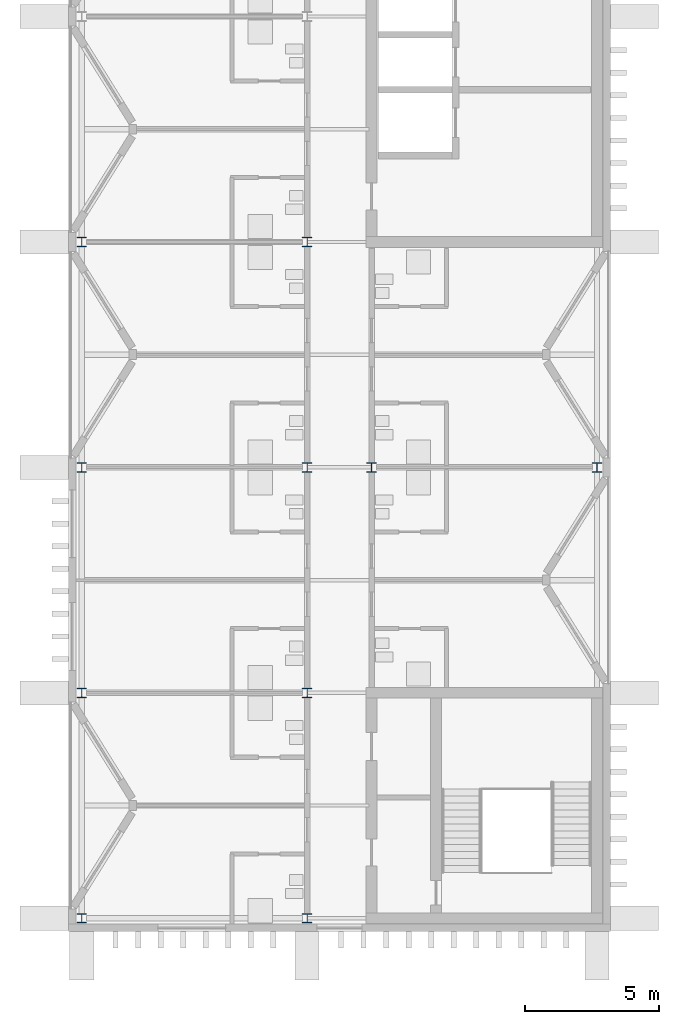
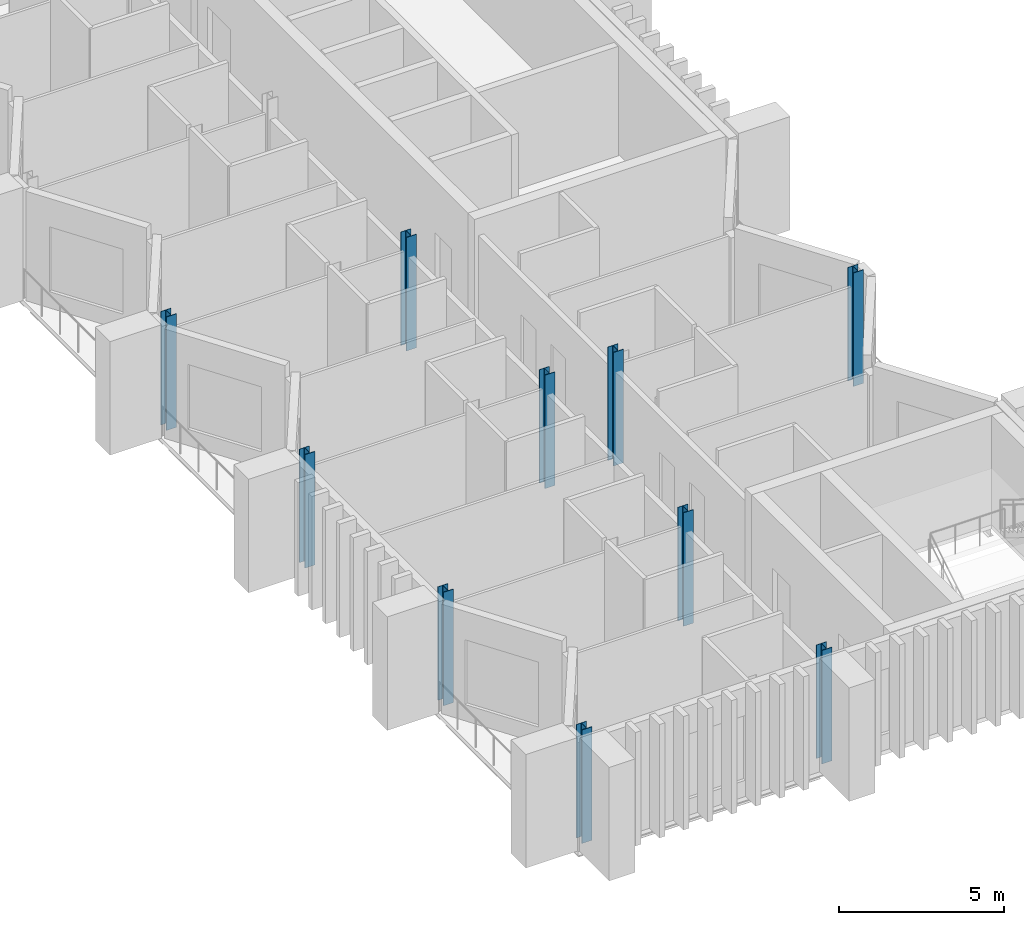
# One storey, part 1 of 11: 10 columns.
"""IFC4 building model written with IfcOpenShell, lengths in metres."""

from ifc_helpers import new_model, si_unit, direction, frame, origin, origin_2d, place, context, subcontext, project, spatial, i_section, extrude, material, material_profile, profile_set, type_object, element, save


model = new_model("IFC4")

# Units and contexts
model_context = context("Model", 3, precision=1e-05, world=origin(), true_north=direction((0.0, 1.0)))
body_context = subcontext(model_context, "Body", "Model", "MODEL_VIEW")
ifc_project = project(units=[si_unit("LENGTHUNIT", "METRE"), si_unit("AREAUNIT", "SQUARE_METRE"), si_unit("VOLUMEUNIT", "CUBIC_METRE"), si_unit("PLANEANGLEUNIT", "RADIAN"), si_unit("MASSUNIT", "GRAM", prefix="KILO")], contexts=[model_context])

# Site, building, storey
site_placement = place(None, origin())
site = spatial("IfcSite", under=ifc_project, at=site_placement, CompositionType="ELEMENT")
building_placement = place(site_placement, origin())
building = spatial("IfcBuilding", under=site, at=building_placement, Name="Cresset Court Congress Hotel", CompositionType="ELEMENT")
storey_placement = place(building_placement, frame((0.0, 0.0, 48.0)))
storey = spatial("IfcBuildingStorey", under=building, at=storey_placement, Name="L11", CompositionType="ELEMENT", Elevation=48.0)

# Columns
ifc_material = material(Name="Structural steel Q355B", Category="steel")
ifc_material_profile = material_profile(ifc_material, i_section(OverallWidth=0.35009765625, OverallDepth=0.35009765625, WebThickness=0.011962890625, FlangeThickness=0.01904296875, FilletRadius=0.012939453125, at=origin_2d()), Name="HW350x350x12x19")
ifc_profile_set = profile_set([ifc_material_profile], Name="Structural steel Q355B")
column_type = type_object("IfcColumnType", Name="Steel column HW350x350x12x19", PredefinedType="COLUMN", material=ifc_profile_set)
for number, where, z_axis, x_axis, name in (
    (1, (157.199951171875, 0.0, 0.0), (0.0, 0.0, 1.0), (1.0, 0.0, 0.0), "Column L11 1-20"),
    (2, (157.199951171875, 8.39990234375, 0.0), (0.0, 0.0, 1.0), (1.0, 0.0, 0.0), "Column L11 2-20"),
    (3, (157.199951171875, 16.800048828125, 0.0), (0.0, 0.0, 1.0), (1.0, 0.0, 0.0), "Column L11 3-20"),
    (4, (157.199951171875, 25.199951171875, 0.0), (0.0, 0.0, 1.0), (1.0, 0.0, 0.0), "Column L11 4-20"),
    (5, (165.60009765625, 0.0, 0.0), (0.0, 0.0, 1.0), (1.0, 0.0, 0.0), "Column L11 1-21"),
    (6, (165.60009765625, 8.39990234375, 0.0), (0.0, 0.0, 1.0), (1.0, 0.0, 0.0), "Column L11 2-21"),
    (7, (165.60009765625, 16.800048828125, 0.0), (0.0, 0.0, 1.0), (1.0, 0.0, 0.0), "Column L11 3-21"),
    (8, (165.60009765625, 25.199951171875, 0.0), (0.0, 0.0, 1.0), (1.0, 0.0, 0.0), "Column L11 4-21"),
    (9, (168.0, 16.800048828125, 0.0), (0.0, 0.0, 1.0), (1.0, 0.0, 0.0), "Column L11 3-22"),
    (10, (176.39990234375, 16.800048828125, 0.0), (0.0, 0.0, 1.0), (1.0, 0.0, 0.0), "Column L11 3-23"),
):
    element("IfcColumn", number, at=place(storey_placement, frame(where, z_axis=z_axis, x_axis=x_axis)), inside=storey, type_object=column_type, Name=name, PredefinedType="COLUMN", context=body_context, shape_type="SweptSolid", body=[
        extrude(i_section(OverallWidth=0.35009765625, OverallDepth=0.35009765625, WebThickness=0.011962890625, FlangeThickness=0.01904296875, FilletRadius=0.012939453125, at=origin_2d()), origin(), (0.0, 0.0, 1.0), 4.199951171875),
    ])

save(model, "model.ifc")
